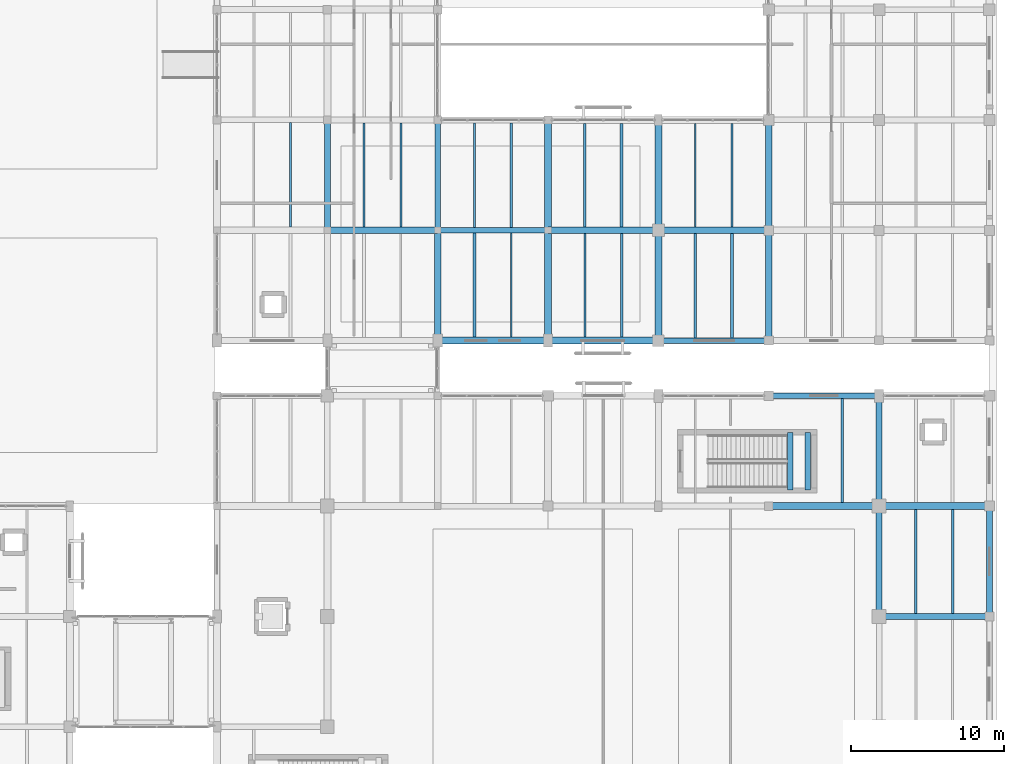
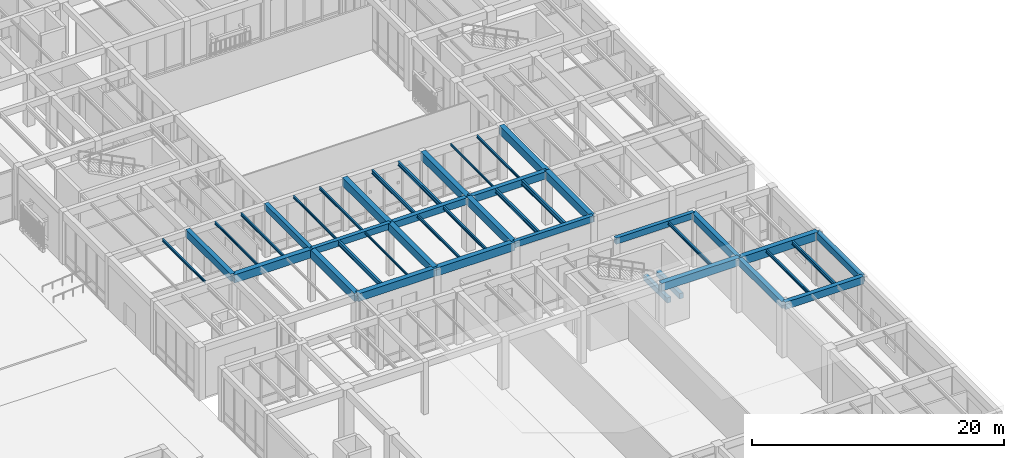
# One storey, part 91 of 169: 43 beams.
"""IFC4 building model written with IfcOpenShell, lengths in metres."""

from ifc_helpers import new_model, si_unit, direction, frame, origin, origin_2d, place, context, subcontext, project, spatial, rectangle, i_section, extrude, material, material_profile, profile_set, type_object, element, save


model = new_model("IFC4")

# Units and contexts
model_context = context("Model", 3, precision=1e-05, world=origin(), true_north=direction((0.0, 1.0)))
body_context = subcontext(model_context, "Body", "Model", "MODEL_VIEW")
ifc_project = project(units=[si_unit("LENGTHUNIT", "METRE"), si_unit("AREAUNIT", "SQUARE_METRE"), si_unit("VOLUMEUNIT", "CUBIC_METRE"), si_unit("PLANEANGLEUNIT", "RADIAN"), si_unit("MASSUNIT", "GRAM", prefix="KILO")], contexts=[model_context])

# Site, building, storey
site_placement = place(None, origin())
site = spatial("IfcSite", under=ifc_project, at=site_placement, CompositionType="ELEMENT")
building_placement = place(site_placement, origin())
building = spatial("IfcBuilding", under=site, at=building_placement, Name="Mazaris Harbour Polytechnic", CompositionType="ELEMENT")
storey_placement = place(building_placement, origin())
storey = spatial("IfcBuildingStorey", under=building, at=storey_placement, Name="L00", CompositionType="ELEMENT", Elevation=0.0)

# Beams
ifc_material_1 = material(Name="Concrete C35/45", Category="concrete")
ifc_material_profile_1 = material_profile(ifc_material_1, rectangle(XDim=0.35009765625, YDim=0.60009765625, at=origin_2d()), Name="RECT350x600")
ifc_profile_set_1 = profile_set([ifc_material_profile_1], Name="Concrete C35/45")
beam_type_1 = type_object("IfcBeamType", Name="RC Girder 350x600", PredefinedType="BEAM", material=ifc_profile_set_1)
for number, where, z_axis, x_axis, name in (
    (1, (136.800048828125, 54.0, 4.800048828125), (1.0, 0.0, 0.0), (0.0, 1.0, 0.0), "V5 L00 Girder 2705"),
    (2, (136.800048828125, 54.0, 4.800048828125), (0.0, 1.0, 0.0), (-1.0, 0.0, 0.0), "V5 L00 Tie Girder 2775"),
):
    element("IfcBeam", number, at=place(storey_placement, frame(where, z_axis=z_axis, x_axis=x_axis)), inside=storey, type_object=beam_type_1, Name=name, PredefinedType="BEAM", context=body_context, shape_type="SweptSolid", body=[
        extrude(rectangle(XDim=0.35009765625, YDim=0.60009765625, at=origin_2d()), origin(), (0.0, 0.0, 1.0), 7.199951171875),
    ])
ifc_material_2 = material(Name="Concrete C35/45", Category="concrete")
ifc_material_profile_2 = material_profile(ifc_material_2, rectangle(XDim=0.35009765625, YDim=0.60009765625, at=origin_2d()), Name="RECT350x600")
ifc_profile_set_2 = profile_set([ifc_material_profile_2], Name="Concrete C35/45")
beam_type_2 = type_object("IfcBeamType", Name="RC Girder 350x600 Exterior", PredefinedType="BEAM", material=ifc_profile_set_2)
beam_1_placement = place(storey_placement, frame((158.39990234375, 43.199951171875, 4.800048828125), z_axis=(1.0, 0.0, 0.0), x_axis=(0.0, 1.0, 0.0)))
element("IfcBeam", 3, at=beam_1_placement, inside=storey, type_object=beam_type_2, Name="V2 L00 Girder 450", PredefinedType="BEAM", context=body_context, shape_type="SweptSolid", body=[
    extrude(rectangle(XDim=0.35009765625, YDim=0.60009765625, at=origin_2d()), origin(), (0.0, 0.0, 1.0), 7.2001953125),
])
beam_2_placement = place(storey_placement, frame((151.199951171875, 46.800048828125, 4.800048828125), z_axis=(1.0, 0.0, 0.0), x_axis=(0.0, 1.0, 0.0)))
element("IfcBeam", 4, at=beam_2_placement, inside=storey, type_object=beam_type_2, Name="V5 L00 Girder 2700", PredefinedType="BEAM", context=body_context, shape_type="SweptSolid", body=[
    extrude(rectangle(XDim=0.35009765625, YDim=0.60009765625, at=origin_2d()), origin(), (0.0, 0.0, 1.0), 7.199951171875),
])
ifc_material_3 = material(Name="Concrete C35/45", Category="concrete")
ifc_material_profile_3 = material_profile(ifc_material_3, rectangle(XDim=0.39990234375, YDim=0.64990234375, at=origin_2d()), Name="RECT400x650")
ifc_profile_set_3 = profile_set([ifc_material_profile_3], Name="Concrete C35/45")
beam_type_3 = type_object("IfcBeamType", Name="RC Girder 400x650", PredefinedType="BEAM", material=ifc_profile_set_3)
for number, where, z_axis, x_axis, name in (
    (5, (165.60009765625, 28.800048828125, 4.77490234375), (0.0, 1.0, 0.0), (-1.0, 0.0, 0.0), "V2 L00 Tie Girder 471"),
    (6, (144.0, 54.0, 4.77490234375), (1.0, 0.0, 0.0), (0.0, 1.0, 0.0), "V5 L00 Girder 2706"),
):
    element("IfcBeam", number, at=place(storey_placement, frame(where, z_axis=z_axis, x_axis=x_axis)), inside=storey, type_object=beam_type_3, Name=name, PredefinedType="BEAM", context=body_context, shape_type="SweptSolid", body=[
        extrude(rectangle(XDim=0.39990234375, YDim=0.64990234375, at=origin_2d()), origin(), (0.0, 0.0, 1.0), 7.199951171875),
    ])
ifc_material_4 = material(Name="Concrete C35/45", Category="concrete")
ifc_material_profile_4 = material_profile(ifc_material_4, rectangle(XDim=0.39990234375, YDim=0.64990234375, at=origin_2d()), Name="RECT400x650")
ifc_profile_set_4 = profile_set([ifc_material_profile_4], Name="Concrete C35/45")
beam_type_4 = type_object("IfcBeamType", Name="RC Girder 400x650 Exterior", PredefinedType="BEAM", material=ifc_profile_set_4)
beam_3_placement = place(storey_placement, frame((172.800048828125, 28.800048828125, 4.77490234375), z_axis=(0.0, 1.0, 0.0), x_axis=(-1.0, 0.0, 0.0)))
element("IfcBeam", 7, at=beam_3_placement, inside=storey, type_object=beam_type_4, Name="V2 L00 Tie Girder 476", PredefinedType="BEAM", context=body_context, shape_type="SweptSolid", body=[
    extrude(rectangle(XDim=0.39990234375, YDim=0.64990234375, at=origin_2d()), origin(), (0.0, 0.0, 1.0), 7.199951171875),
])
ifc_material_5 = material(Name="Concrete C35/45", Category="concrete")
ifc_material_profile_5 = material_profile(ifc_material_5, rectangle(XDim=0.39990234375, YDim=0.699951171875, at=origin_2d()), Name="RECT400x700")
ifc_profile_set_5 = profile_set([ifc_material_profile_5], Name="Concrete C35/45")
beam_type_5 = type_object("IfcBeamType", Name="RC Girder 400x700", PredefinedType="BEAM", material=ifc_profile_set_5)
for number, where, z_axis, x_axis, name in (
    (8, (165.60009765625, 28.800048828125, 4.75), (1.0, 0.0, 0.0), (0.0, 1.0, 0.0), "V2 L00 Girder 437"),
    (9, (165.60009765625, 36.0, 4.75), (0.0, 1.0, 0.0), (-1.0, 0.0, 0.0), "V2 L00 Tie Girder 472"),
    (10, (151.199951171875, 54.0, 4.75), (1.0, 0.0, 0.0), (0.0, 1.0, 0.0), "V5 L00 Girder 2707"),
    (11, (129.60009765625, 54.0, 4.75), (0.0, 1.0, 0.0), (-1.0, 0.0, 0.0), "V5 L00 Tie Girder 2767"),
):
    element("IfcBeam", number, at=place(storey_placement, frame(where, z_axis=z_axis, x_axis=x_axis)), inside=storey, type_object=beam_type_5, Name=name, PredefinedType="BEAM", context=body_context, shape_type="SweptSolid", body=[
        extrude(rectangle(XDim=0.39990234375, YDim=0.699951171875, at=origin_2d()), origin(), (0.0, 0.0, 1.0), 7.199951171875),
    ])
ifc_material_6 = material(Name="Concrete C40/50", Category="concrete")
ifc_material_profile_6 = material_profile(ifc_material_6, rectangle(XDim=0.449951171875, YDim=0.75, at=origin_2d()), Name="RECT450x750")
ifc_profile_set_6 = profile_set([ifc_material_profile_6], Name="Concrete C40/50")
beam_type_6 = type_object("IfcBeamType", Name="RC Girder 450x750", PredefinedType="BEAM", material=ifc_profile_set_6)
beam_4_placement = place(storey_placement, frame((158.39990234375, 36.0, 4.72509765625), z_axis=(1.0, 0.0, 0.0), x_axis=(0.0, 1.0, 0.0)))
element("IfcBeam", 12, at=beam_4_placement, inside=storey, type_object=beam_type_6, Name="V2 L00 Girder 443", PredefinedType="BEAM", context=body_context, shape_type="SweptSolid", body=[
    extrude(rectangle(XDim=0.449951171875, YDim=0.75, at=origin_2d()), origin(), (0.0, 0.0, 1.0), 7.2001953125),
])
for number, where, z_axis, x_axis, name in (
    (13, (144.0, 46.800048828125, 4.72509765625), (0.0, 1.0, 0.0), (-1.0, 0.0, 0.0), "V5 L00 Tie Girder 2783"),
    (14, (151.199951171875, 46.800048828125, 4.72509765625), (0.0, 1.0, 0.0), (-1.0, 0.0, 0.0), "V5 L00 Tie Girder 2788"),
    (15, (158.39990234375, 46.800048828125, 4.72509765625), (0.0, 1.0, 0.0), (-1.0, 0.0, 0.0), "V5 L00 Tie Girder 2793"),
):
    element("IfcBeam", number, at=place(storey_placement, frame(where, z_axis=z_axis, x_axis=x_axis)), inside=storey, type_object=beam_type_6, Name=name, PredefinedType="BEAM", context=body_context, shape_type="SweptSolid", body=[
        extrude(rectangle(XDim=0.449951171875, YDim=0.75, at=origin_2d()), origin(), (0.0, 0.0, 1.0), 7.199951171875),
    ])
ifc_material_7 = material(Name="Concrete C40/50", Category="concrete")
ifc_material_profile_7 = material_profile(ifc_material_7, rectangle(XDim=0.449951171875, YDim=0.75, at=origin_2d()), Name="RECT450x750")
ifc_profile_set_7 = profile_set([ifc_material_profile_7], Name="Concrete C40/50")
beam_type_7 = type_object("IfcBeamType", Name="RC Girder 450x750 Exterior", PredefinedType="BEAM", material=ifc_profile_set_7)
beam_5_placement = place(storey_placement, frame((136.800048828125, 46.800048828125, 4.72509765625), z_axis=(1.0, 0.0, 0.0), x_axis=(0.0, 1.0, 0.0)))
element("IfcBeam", 16, at=beam_5_placement, inside=storey, type_object=beam_type_7, Name="V5 L00 Girder 2698", PredefinedType="BEAM", context=body_context, shape_type="SweptSolid", body=[
    extrude(rectangle(XDim=0.449951171875, YDim=0.75, at=origin_2d()), origin(), (0.0, 0.0, 1.0), 7.199951171875),
])
ifc_material_8 = material(Name="Concrete C40/50", Category="concrete")
ifc_material_profile_8 = material_profile(ifc_material_8, rectangle(XDim=0.449951171875, YDim=0.800048828125, at=origin_2d()), Name="RECT450x800")
ifc_profile_set_8 = profile_set([ifc_material_profile_8], Name="Concrete C40/50")
beam_type_8 = type_object("IfcBeamType", Name="RC Girder 450x800", PredefinedType="BEAM", material=ifc_profile_set_8)
for number, where, z_axis, x_axis, name in (
    (17, (165.60009765625, 36.0, 4.699951171875), (1.0, 0.0, 0.0), (0.0, 1.0, 0.0), "V2 L00 Girder 444"),
    (18, (129.60009765625, 54.0, 4.699951171875), (1.0, 0.0, 0.0), (0.0, 1.0, 0.0), "V5 L00 Girder 2704"),
    (19, (136.800048828125, 46.800048828125, 4.699951171875), (0.0, 1.0, 0.0), (-1.0, 0.0, 0.0), "V5 L00 Tie Girder 2774"),
    (20, (144.0, 54.0, 4.699951171875), (0.0, 1.0, 0.0), (-1.0, 0.0, 0.0), "V5 L00 Tie Girder 2784"),
    (21, (151.199951171875, 54.0, 4.699951171875), (0.0, 1.0, 0.0), (-1.0, 0.0, 0.0), "V5 L00 Tie Girder 2789"),
    (22, (158.39990234375, 54.0, 4.699951171875), (0.0, 1.0, 0.0), (-1.0, 0.0, 0.0), "V5 L00 Tie Girder 2794"),
):
    element("IfcBeam", number, at=place(storey_placement, frame(where, z_axis=z_axis, x_axis=x_axis)), inside=storey, type_object=beam_type_8, Name=name, PredefinedType="BEAM", context=body_context, shape_type="SweptSolid", body=[
        extrude(rectangle(XDim=0.449951171875, YDim=0.800048828125, at=origin_2d()), origin(), (0.0, 0.0, 1.0), 7.199951171875),
    ])
ifc_material_9 = material(Name="Concrete C40/50", Category="concrete")
ifc_material_profile_9 = material_profile(ifc_material_9, rectangle(XDim=0.449951171875, YDim=0.800048828125, at=origin_2d()), Name="RECT450x800")
ifc_profile_set_9 = profile_set([ifc_material_profile_9], Name="Concrete C40/50")
beam_type_9 = type_object("IfcBeamType", Name="RC Girder 450x800 Exterior", PredefinedType="BEAM", material=ifc_profile_set_9)
beam_6_placement = place(storey_placement, frame((144.0, 46.800048828125, 4.699951171875), z_axis=(1.0, 0.0, 0.0), x_axis=(0.0, 1.0, 0.0)))
element("IfcBeam", 23, at=beam_6_placement, inside=storey, type_object=beam_type_9, Name="V5 L00 Girder 2699", PredefinedType="BEAM", context=body_context, shape_type="SweptSolid", body=[
    extrude(rectangle(XDim=0.449951171875, YDim=0.800048828125, at=origin_2d()), origin(), (0.0, 0.0, 1.0), 7.199951171875),
])
ifc_material_10 = material(Name="Concrete C40/50", Category="concrete")
ifc_material_profile_10 = material_profile(ifc_material_10, rectangle(XDim=0.35009765625, YDim=0.52001953125, at=origin_2d()), Name="RECT350x520")
ifc_profile_set_10 = profile_set([ifc_material_profile_10], Name="Concrete C40/50")
beam_type_10 = type_object("IfcBeamType", Name="RC Landing Bearer 350x520", PredefinedType="BEAM", material=ifc_profile_set_10)
for number, where, z_axis, x_axis, name in (
    (24, (159.800048828125, 37.050048828125, 2.239990234375), (0.0, 1.0, 0.0), (-1.0, 0.0, 0.0), "Core ST04 L00 Landing Bearer"),
    (25, (160.949951171875, 37.050048828125, 2.239990234375), (0.0, 1.0, 0.0), (-1.0, 0.0, 0.0), "Core ST04 L00 Landing Bearer"),
):
    element("IfcBeam", number, at=place(storey_placement, frame(where, z_axis=z_axis, x_axis=x_axis)), inside=storey, type_object=beam_type_10, Name=name, PredefinedType="BEAM", context=body_context, shape_type="SweptSolid", body=[
        extrude(rectangle(XDim=0.35009765625, YDim=0.52001953125, at=origin_2d()), origin(), (0.0, 0.0, 1.0), 3.75),
    ])
ifc_material_11 = material(Name="Steel S355", Category="steel")
ifc_material_profile_11 = material_profile(ifc_material_11, i_section(OverallWidth=0.10009765625, OverallDepth=0.199951171875, WebThickness=0.005615234375, FlangeThickness=0.008544921875, FilletRadius=0.011962890625, at=origin_2d()), Name="IPE 200")
ifc_profile_set_11 = profile_set([ifc_material_profile_11], Name="Steel S355")
beam_type_11 = type_object("IfcBeamType", Name="Steel Joist IPE200", PredefinedType="JOIST", material=ifc_profile_set_11)
beam_7_placement = place(storey_placement, frame((141.60009765625, 47.02490234375, 5.0), z_axis=(0.0, 1.0, 0.0), x_axis=(-1.0, 0.0, 0.0)))
element("IfcBeam", 26, at=beam_7_placement, inside=storey, type_object=beam_type_11, Name="V5 L00 Floor Joist 2849", PredefinedType="JOIST", context=body_context, shape_type="SweptSolid", body=[
    extrude(i_section(OverallWidth=0.10009765625, OverallDepth=0.199951171875, WebThickness=0.005615234375, FlangeThickness=0.008544921875, FilletRadius=0.011962890625, at=origin_2d()), origin(), (0.0, 0.0, 1.0), 6.800048828125),
])
beam_8_placement = place(storey_placement, frame((153.60009765625, 54.199951171875, 5.0), z_axis=(0.0, 1.0, 0.0), x_axis=(-1.0, 0.0, 0.0)))
element("IfcBeam", 27, at=beam_8_placement, inside=storey, type_object=beam_type_11, Name="V5 L00 Floor Joist 2870", PredefinedType="JOIST", context=body_context, shape_type="SweptSolid", body=[
    extrude(i_section(OverallWidth=0.10009765625, OverallDepth=0.199951171875, WebThickness=0.005615234375, FlangeThickness=0.008544921875, FilletRadius=0.011962890625, at=origin_2d()), origin(), (0.0, 0.0, 1.0), 6.775146484375),
])
ifc_material_12 = material(Name="Steel S355", Category="steel")
ifc_material_profile_12 = material_profile(ifc_material_12, i_section(OverallWidth=0.1201171875, OverallDepth=0.239990234375, WebThickness=0.006103515625, FlangeThickness=0.009765625, FilletRadius=0.014892578125, at=origin_2d()), Name="IPE 240")
ifc_profile_set_12 = profile_set([ifc_material_profile_12], Name="Steel S355")
beam_type_12 = type_object("IfcBeamType", Name="Steel Joist IPE240", PredefinedType="JOIST", material=ifc_profile_set_12)
beam_9_placement = place(storey_placement, frame((127.199951171875, 54.22509765625, 4.97998046875), z_axis=(0.0, 1.0, 0.0), x_axis=(-1.0, 0.0, 0.0)))
element("IfcBeam", 28, at=beam_9_placement, inside=storey, type_object=beam_type_12, Name="V5 L00 Floor Joist 2822", PredefinedType="JOIST", context=body_context, shape_type="SweptSolid", body=[
    extrude(i_section(OverallWidth=0.1201171875, OverallDepth=0.239990234375, WebThickness=0.006103515625, FlangeThickness=0.009765625, FilletRadius=0.014892578125, at=origin_2d()), origin(), (0.0, 0.0, 1.0), 6.7998046875),
])
beam_10_placement = place(storey_placement, frame((132.0, 54.22509765625, 4.97998046875), z_axis=(0.0, 1.0, 0.0), x_axis=(-1.0, 0.0, 0.0)))
element("IfcBeam", 29, at=beam_10_placement, inside=storey, type_object=beam_type_12, Name="V5 L00 Floor Joist 2836", PredefinedType="JOIST", context=body_context, shape_type="SweptSolid", body=[
    extrude(i_section(OverallWidth=0.1201171875, OverallDepth=0.239990234375, WebThickness=0.006103515625, FlangeThickness=0.009765625, FilletRadius=0.014892578125, at=origin_2d()), origin(), (0.0, 0.0, 1.0), 6.77490234375),
])
beam_11_placement = place(storey_placement, frame((139.199951171875, 54.175048828125, 4.97998046875), z_axis=(0.0, 1.0, 0.0), x_axis=(-1.0, 0.0, 0.0)))
element("IfcBeam", 30, at=beam_11_placement, inside=storey, type_object=beam_type_12, Name="V5 L00 Floor Joist 2850", PredefinedType="JOIST", context=body_context, shape_type="SweptSolid", body=[
    extrude(i_section(OverallWidth=0.1201171875, OverallDepth=0.239990234375, WebThickness=0.006103515625, FlangeThickness=0.009765625, FilletRadius=0.014892578125, at=origin_2d()), origin(), (0.0, 0.0, 1.0), 6.824951171875),
])
beam_12_placement = place(storey_placement, frame((156.0, 54.199951171875, 4.97998046875), z_axis=(0.0, 1.0, 0.0), x_axis=(-1.0, 0.0, 0.0)))
element("IfcBeam", 31, at=beam_12_placement, inside=storey, type_object=beam_type_12, Name="V5 L00 Floor Joist 2871", PredefinedType="JOIST", context=body_context, shape_type="SweptSolid", body=[
    extrude(i_section(OverallWidth=0.1201171875, OverallDepth=0.239990234375, WebThickness=0.006103515625, FlangeThickness=0.009765625, FilletRadius=0.014892578125, at=origin_2d()), origin(), (0.0, 0.0, 1.0), 6.775146484375),
])
ifc_material_13 = material(Name="Steel S355", Category="steel")
ifc_material_profile_13 = material_profile(ifc_material_13, i_section(OverallWidth=0.135009765625, OverallDepth=0.27001953125, WebThickness=0.006591796875, FlangeThickness=0.01025390625, FilletRadius=0.014892578125, at=origin_2d()), Name="IPE 270")
ifc_profile_set_13 = profile_set([ifc_material_profile_13], Name="Steel S355")
beam_type_13 = type_object("IfcBeamType", Name="Steel Joist IPE270", PredefinedType="JOIST", material=ifc_profile_set_13)
beam_13_placement = place(storey_placement, frame((134.39990234375, 54.22509765625, 4.965087890625), z_axis=(0.0, 1.0, 0.0), x_axis=(-1.0, 0.0, 0.0)))
element("IfcBeam", 32, at=beam_13_placement, inside=storey, type_object=beam_type_13, Name="V5 L00 Floor Joist 2837", PredefinedType="JOIST", context=body_context, shape_type="SweptSolid", body=[
    extrude(i_section(OverallWidth=0.135009765625, OverallDepth=0.27001953125, WebThickness=0.006591796875, FlangeThickness=0.01025390625, FilletRadius=0.014892578125, at=origin_2d()), origin(), (0.0, 0.0, 1.0), 6.77490234375),
])
beam_14_placement = place(storey_placement, frame((141.60009765625, 54.175048828125, 4.965087890625), z_axis=(0.0, 1.0, 0.0), x_axis=(-1.0, 0.0, 0.0)))
element("IfcBeam", 33, at=beam_14_placement, inside=storey, type_object=beam_type_13, Name="V5 L00 Floor Joist 2851", PredefinedType="JOIST", context=body_context, shape_type="SweptSolid", body=[
    extrude(i_section(OverallWidth=0.135009765625, OverallDepth=0.27001953125, WebThickness=0.006591796875, FlangeThickness=0.01025390625, FilletRadius=0.014892578125, at=origin_2d()), origin(), (0.0, 0.0, 1.0), 6.824951171875),
])
beam_15_placement = place(storey_placement, frame((146.39990234375, 47.02490234375, 4.965087890625), z_axis=(0.0, 1.0, 0.0), x_axis=(-1.0, 0.0, 0.0)))
element("IfcBeam", 34, at=beam_15_placement, inside=storey, type_object=beam_type_13, Name="V5 L00 Floor Joist 2858", PredefinedType="JOIST", context=body_context, shape_type="SweptSolid", body=[
    extrude(i_section(OverallWidth=0.135009765625, OverallDepth=0.27001953125, WebThickness=0.006591796875, FlangeThickness=0.01025390625, FilletRadius=0.014892578125, at=origin_2d()), origin(), (0.0, 0.0, 1.0), 6.775146484375),
])
ifc_material_14 = material(Name="Steel S355", Category="steel")
ifc_material_profile_14 = material_profile(ifc_material_14, i_section(OverallWidth=0.14990234375, OverallDepth=0.300048828125, WebThickness=0.007080078125, FlangeThickness=0.0107421875, FilletRadius=0.014892578125, at=origin_2d()), Name="IPE 300")
ifc_profile_set_14 = profile_set([ifc_material_profile_14], Name="Steel S355")
beam_type_14 = type_object("IfcBeamType", Name="Steel Joist IPE300", PredefinedType="JOIST", material=ifc_profile_set_14)
beam_16_placement = place(storey_placement, frame((163.199951171875, 36.22509765625, 4.949951171875), z_axis=(0.0, 1.0, 0.0), x_axis=(-1.0, 0.0, 0.0)))
element("IfcBeam", 35, at=beam_16_placement, inside=storey, type_object=beam_type_14, Name="V2 L00 Floor Joist 500", PredefinedType="JOIST", context=body_context, shape_type="SweptSolid", body=[
    extrude(i_section(OverallWidth=0.14990234375, OverallDepth=0.300048828125, WebThickness=0.007080078125, FlangeThickness=0.0107421875, FilletRadius=0.014892578125, at=origin_2d()), origin(), (0.0, 0.0, 1.0), 6.7998046875),
])
beam_17_placement = place(storey_placement, frame((168.0, 29.0, 4.949951171875), z_axis=(0.0, 1.0, 0.0), x_axis=(-1.0, 0.0, 0.0)))
element("IfcBeam", 36, at=beam_17_placement, inside=storey, type_object=beam_type_14, Name="V2 L00 Floor Joist 507", PredefinedType="JOIST", context=body_context, shape_type="SweptSolid", body=[
    extrude(i_section(OverallWidth=0.14990234375, OverallDepth=0.300048828125, WebThickness=0.007080078125, FlangeThickness=0.0107421875, FilletRadius=0.014892578125, at=origin_2d()), origin(), (0.0, 0.0, 1.0), 6.77490234375),
])
beam_18_placement = place(storey_placement, frame((148.800048828125, 47.02490234375, 4.949951171875), z_axis=(0.0, 1.0, 0.0), x_axis=(-1.0, 0.0, 0.0)))
element("IfcBeam", 37, at=beam_18_placement, inside=storey, type_object=beam_type_14, Name="V5 L00 Floor Joist 2859", PredefinedType="JOIST", context=body_context, shape_type="SweptSolid", body=[
    extrude(i_section(OverallWidth=0.14990234375, OverallDepth=0.300048828125, WebThickness=0.007080078125, FlangeThickness=0.0107421875, FilletRadius=0.014892578125, at=origin_2d()), origin(), (0.0, 0.0, 1.0), 6.775146484375),
])
ifc_material_15 = material(Name="Steel S355", Category="steel")
ifc_material_profile_15 = material_profile(ifc_material_15, i_section(OverallWidth=0.169921875, OverallDepth=0.360107421875, WebThickness=0.008056640625, FlangeThickness=0.0126953125, FilletRadius=0.01806640625, at=origin_2d()), Name="IPE 360")
ifc_profile_set_15 = profile_set([ifc_material_profile_15], Name="Steel S355")
beam_type_15 = type_object("IfcBeamType", Name="Steel Joist IPE360", PredefinedType="JOIST", material=ifc_profile_set_15)
beam_19_placement = place(storey_placement, frame((170.39990234375, 29.0, 4.919921875), z_axis=(0.0, 1.0, 0.0), x_axis=(-1.0, 0.0, 0.0)))
element("IfcBeam", 38, at=beam_19_placement, inside=storey, type_object=beam_type_15, Name="V2 L00 Floor Joist 508", PredefinedType="JOIST", context=body_context, shape_type="SweptSolid", body=[
    extrude(i_section(OverallWidth=0.169921875, OverallDepth=0.360107421875, WebThickness=0.008056640625, FlangeThickness=0.0126953125, FilletRadius=0.01806640625, at=origin_2d()), origin(), (0.0, 0.0, 1.0), 6.77490234375),
])
beam_20_placement = place(storey_placement, frame((146.39990234375, 54.199951171875, 4.919921875), z_axis=(0.0, 1.0, 0.0), x_axis=(-1.0, 0.0, 0.0)))
element("IfcBeam", 39, at=beam_20_placement, inside=storey, type_object=beam_type_15, Name="V5 L00 Floor Joist 2860", PredefinedType="JOIST", context=body_context, shape_type="SweptSolid", body=[
    extrude(i_section(OverallWidth=0.169921875, OverallDepth=0.360107421875, WebThickness=0.008056640625, FlangeThickness=0.0126953125, FilletRadius=0.01806640625, at=origin_2d()), origin(), (0.0, 0.0, 1.0), 6.775146484375),
])
ifc_material_16 = material(Name="Steel S355", Category="steel")
ifc_material_profile_16 = material_profile(ifc_material_16, i_section(OverallWidth=0.179931640625, OverallDepth=0.39990234375, WebThickness=0.008544921875, FlangeThickness=0.013427734375, FilletRadius=0.02099609375, at=origin_2d()), Name="IPE 400")
ifc_profile_set_16 = profile_set([ifc_material_profile_16], Name="Steel S355")
beam_type_16 = type_object("IfcBeamType", Name="Steel Joist IPE400", PredefinedType="JOIST", material=ifc_profile_set_16)
beam_21_placement = place(storey_placement, frame((148.800048828125, 54.199951171875, 4.89990234375), z_axis=(0.0, 1.0, 0.0), x_axis=(-1.0, 0.0, 0.0)))
element("IfcBeam", 40, at=beam_21_placement, inside=storey, type_object=beam_type_16, Name="V5 L00 Floor Joist 2861", PredefinedType="JOIST", context=body_context, shape_type="SweptSolid", body=[
    extrude(i_section(OverallWidth=0.179931640625, OverallDepth=0.39990234375, WebThickness=0.008544921875, FlangeThickness=0.013427734375, FilletRadius=0.02099609375, at=origin_2d()), origin(), (0.0, 0.0, 1.0), 6.775146484375),
])
beam_22_placement = place(storey_placement, frame((153.60009765625, 46.97509765625, 4.89990234375), z_axis=(0.0, 1.0, 0.0), x_axis=(-1.0, 0.0, 0.0)))
element("IfcBeam", 41, at=beam_22_placement, inside=storey, type_object=beam_type_16, Name="V5 L00 Floor Joist 2868", PredefinedType="JOIST", context=body_context, shape_type="SweptSolid", body=[
    extrude(i_section(OverallWidth=0.179931640625, OverallDepth=0.39990234375, WebThickness=0.008544921875, FlangeThickness=0.013427734375, FilletRadius=0.02099609375, at=origin_2d()), origin(), (0.0, 0.0, 1.0), 6.824951171875),
])
ifc_material_17 = material(Name="Steel S355", Category="steel")
ifc_material_profile_17 = material_profile(ifc_material_17, i_section(OverallWidth=0.18994140625, OverallDepth=0.449951171875, WebThickness=0.009521484375, FlangeThickness=0.0146484375, FilletRadius=0.02099609375, at=origin_2d()), Name="IPE 450")
ifc_profile_set_17 = profile_set([ifc_material_profile_17], Name="Steel S355")
beam_type_17 = type_object("IfcBeamType", Name="Steel Joist IPE450", PredefinedType="JOIST", material=ifc_profile_set_17)
beam_23_placement = place(storey_placement, frame((139.199951171875, 47.02490234375, 4.875), z_axis=(0.0, 1.0, 0.0), x_axis=(-1.0, 0.0, 0.0)))
element("IfcBeam", 42, at=beam_23_placement, inside=storey, type_object=beam_type_17, Name="V5 L00 Floor Joist 2848", PredefinedType="JOIST", context=body_context, shape_type="SweptSolid", body=[
    extrude(i_section(OverallWidth=0.18994140625, OverallDepth=0.449951171875, WebThickness=0.009521484375, FlangeThickness=0.0146484375, FilletRadius=0.02099609375, at=origin_2d()), origin(), (0.0, 0.0, 1.0), 6.800048828125),
])
beam_24_placement = place(storey_placement, frame((156.0, 46.97509765625, 4.875), z_axis=(0.0, 1.0, 0.0), x_axis=(-1.0, 0.0, 0.0)))
element("IfcBeam", 43, at=beam_24_placement, inside=storey, type_object=beam_type_17, Name="V5 L00 Floor Joist 2869", PredefinedType="JOIST", context=body_context, shape_type="SweptSolid", body=[
    extrude(i_section(OverallWidth=0.18994140625, OverallDepth=0.449951171875, WebThickness=0.009521484375, FlangeThickness=0.0146484375, FilletRadius=0.02099609375, at=origin_2d()), origin(), (0.0, 0.0, 1.0), 6.824951171875),
])

save(model, "model.ifc")
